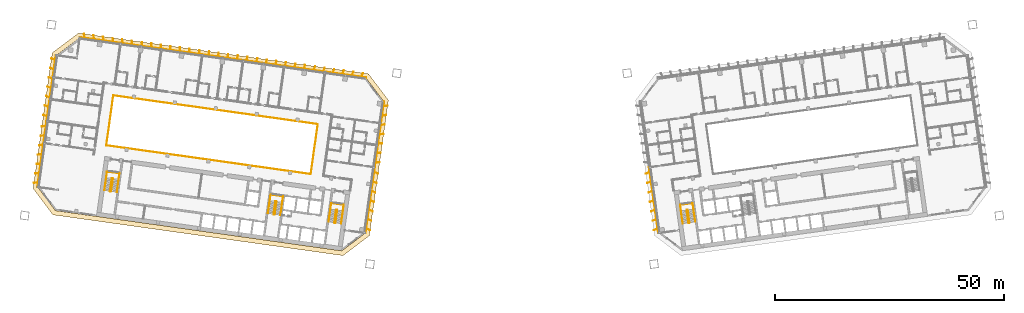
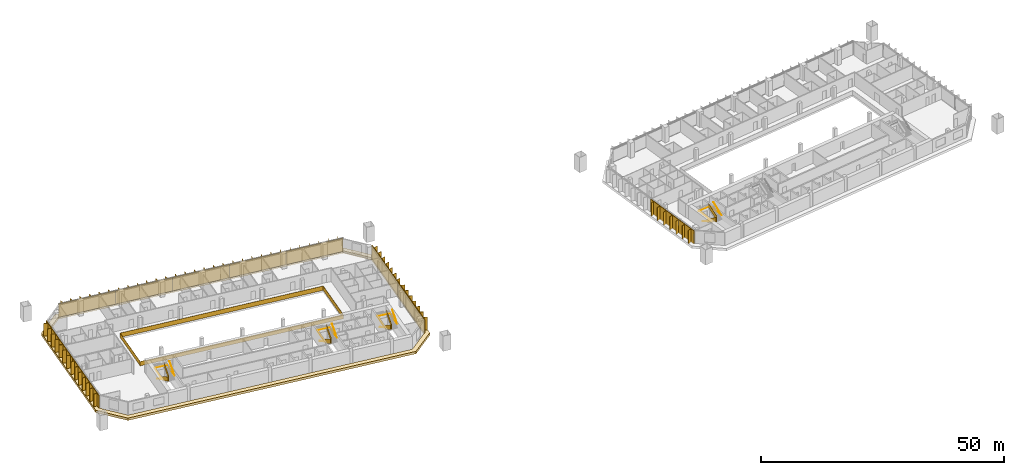
# One storey, part 23 of 24: 10 shading devices, 9 railings, 1 covering.
"""IFC4 building model written with IfcOpenShell, lengths in metres."""

from ifc_helpers import new_model, si_unit, direction, frame, origin, origin_2d, place, context, subcontext, project, spatial, polyline, rectangle, outline, extrude, material, layer, layer_set, type_object, element, save


model = new_model("IFC4")

# Units and contexts
model_context = context("Model", 3, precision=1e-05, world=origin(), true_north=direction((0.0, 1.0)))
body_context = subcontext(model_context, "Body", "Model", "MODEL_VIEW")
ifc_project = project(units=[si_unit("LENGTHUNIT", "METRE"), si_unit("AREAUNIT", "SQUARE_METRE"), si_unit("VOLUMEUNIT", "CUBIC_METRE"), si_unit("PLANEANGLEUNIT", "RADIAN"), si_unit("MASSUNIT", "GRAM", prefix="KILO")], contexts=[model_context])

# Site, building, storey
site_placement = place(None, origin())
site = spatial("IfcSite", under=ifc_project, at=site_placement, CompositionType="ELEMENT")
building_placement = place(site_placement, origin())
building = spatial("IfcBuilding", under=site, at=building_placement, Name="Mirante Cascada Hotel Towers", CompositionType="ELEMENT")
storey_placement = place(building_placement, frame((0.0, 0.0, 50.9)))
storey = spatial("IfcBuildingStorey", under=building, at=storey_placement, Name="L09", CompositionType="ELEMENT", Elevation=50.9)

# Railing
ifc_material_1 = material(Name="Toughened glass with stainless steel handrail", Category="steel")
railing_type_1 = type_object("IfcRailingType", Name="Atrium guard 1100 glass balustrade", PredefinedType="GUARDRAIL", material=ifc_material_1)
railing_1_placement = place(storey_placement, frame((-43.8418, -3.4881, 0.0)))
element("IfcRailing", 1, at=railing_1_placement, inside=storey, type_object=railing_type_1, Name="GUARD 1-L09-1", PredefinedType="GUARDRAIL", context=body_context, shape_type="SweptSolid", body=[
    extrude(rectangle(XDim=0.048, YDim=0.048, at=origin_2d()), frame((0.0, 0.0, 1.076), z_axis=(-0.9902681, 0.1391732, 0.0), x_axis=(-0.1391732, -0.9902681, 0.0)), (0.0, 0.0, 1.0), 45.0),
    extrude(rectangle(XDim=0.02, YDim=1.052, at=origin_2d()), frame((0.0, 0.0, 0.526), z_axis=(-0.9902681, 0.1391732, 0.0), x_axis=(-0.1391732, -0.9902681, 0.0)), (0.0, 0.0, 1.0), 45.0),
    extrude(rectangle(XDim=0.048, YDim=0.048, at=origin_2d()), frame((-44.5621, 6.2628, 1.076), z_axis=(0.1391721, 0.9902682, 0.0), x_axis=(-0.9902682, 0.1391721, 0.0)), (0.0, 0.0, 1.0), 11.0001),
    extrude(rectangle(XDim=0.02, YDim=1.052, at=origin_2d()), frame((-44.5621, 6.2628, 0.526), z_axis=(0.1391721, 0.9902682, 0.0), x_axis=(-0.9902682, 0.1391721, 0.0)), (0.0, 0.0, 1.0), 11.0001),
    extrude(rectangle(XDim=0.048, YDim=0.048, at=origin_2d()), frame((-43.0312, 17.1558, 1.076), z_axis=(0.9902681, -0.1391732, 0.0), x_axis=(0.1391732, 0.9902681, 0.0)), (0.0, 0.0, 1.0), 45.0),
    extrude(rectangle(XDim=0.02, YDim=1.052, at=origin_2d()), frame((-43.0312, 17.1558, 0.526), z_axis=(0.9902681, -0.1391732, 0.0), x_axis=(0.1391732, 0.9902681, 0.0)), (0.0, 0.0, 1.0), 45.0),
    extrude(rectangle(XDim=0.048, YDim=0.048, at=origin_2d()), frame((1.5309, 10.893, 1.076), z_axis=(-0.1391721, -0.9902682, 0.0), x_axis=(0.9902682, -0.1391721, 0.0)), (0.0, 0.0, 1.0), 11.0001),
    extrude(rectangle(XDim=0.02, YDim=1.052, at=origin_2d()), frame((1.5309, 10.893, 0.526), z_axis=(-0.1391721, -0.9902682, 0.0), x_axis=(0.9902682, -0.1391721, 0.0)), (0.0, 0.0, 1.0), 11.0001),
])

# Covering
ifc_material_2 = material(Name="Precast concrete C40/50 white", Category="concrete")
ifc_layer = layer(ifc_material_2, 0.6)
ifc_layer_set = layer_set([ifc_layer], Name="Precast concrete SUNSHADE band 1000x600")
covering_type = type_object("IfcCoveringType", Name="Precast concrete SUNSHADE band 1000x600", PredefinedType="CLADDING", material=ifc_layer_set)
covering_placement = place(storey_placement, frame((0.0, 0.0, -0.45)))
element("IfcCovering", 2, at=covering_placement, inside=storey, type_object=covering_type, Name="Precast concrete SUNSHADE band T1 L09", PredefinedType="CLADDING", context=body_context, shape_type="SweptSolid", body=[
    extrude(outline(polyline([(-104.3652, -6.6094), (-100.2139, 22.9287), (-94.4698, 27.2572), (-31.2626, 18.374), (-26.9341, 12.6299), (-31.0854, -16.9082), (-36.8295, -21.2367), (-100.0367, -12.3535), (-104.3652, -6.6094)]), holes=[polyline([(-27.982, 12.3589), (-31.8119, 17.4414), (-94.1988, 26.2093), (-99.2813, 22.3794), (-103.3173, -6.3384), (-99.4874, -11.4209), (-37.1005, -20.1888), (-32.018, -16.3589), (-27.982, 12.3589)])]), origin(), (0.0, 0.0, 1.0), 0.6),
])

# Railings
ifc_material_3 = material(Name="Painted steel", Category="steel")
railing_type_2 = type_object("IfcRailingType", Name="Stair guard 1100 steel balustrade", PredefinedType="GUARDRAIL", material=ifc_material_3)
railing_2_placement = place(storey_placement, frame((-38.1178, -11.2603, 0.0)))
element("IfcRailing", 3, at=railing_2_placement, inside=storey, type_object=railing_type_2, Name="L09 ST1-A stair guard 1", PredefinedType="GUARDRAIL", context=body_context, shape_type="SweptSolid", body=[
    extrude(rectangle(XDim=0.048, YDim=0.048, at=origin_2d()), frame((0.0, 0.0, 1.076), z_axis=(-0.9903326, 0.1387133, 0.0), x_axis=(-0.1387133, -0.9903326, 0.0)), (0.0, 0.0, 1.0), 0.1499),
    extrude(rectangle(XDim=0.02, YDim=1.052, at=origin_2d()), frame((0.0, 0.0, 0.526), z_axis=(-0.9903326, 0.1387133, 0.0), x_axis=(-0.1387133, -0.9903326, 0.0)), (0.0, 0.0, 1.0), 0.1499),
    extrude(rectangle(XDim=0.048, YDim=0.048, at=origin_2d()), frame((-0.1485, 0.0208, 1.076), z_axis=(-0.7991505, -0.6011309, 0.0), x_axis=(0.6011309, -0.7991505, 0.0)), (0.0, 0.9254529, 0.3788627), 0.1866),
    extrude(rectangle(XDim=0.02, YDim=1.052, at=origin_2d()), frame((-0.1485, 0.0208, 0.526), z_axis=(-0.7991505, -0.6011309, 0.0), x_axis=(0.6011309, -0.7991505, 0.0)), (0.0, 0.9254529, 0.3788627), 0.1866),
    extrude(rectangle(XDim=0.048, YDim=0.048, at=origin_2d()), frame((-0.205, -0.0217, 1.2487), z_axis=(-0.139176, -0.9902677, 0.0), x_axis=(0.9902677, -0.139176, 0.0)), (0.0, 0.5250212, 0.8510891), 3.29),
    extrude(rectangle(XDim=0.02, YDim=1.052, at=origin_2d()), frame((-0.205, -0.0217, 0.6987), z_axis=(-0.139176, -0.9902677, 0.0), x_axis=(0.9902677, -0.139176, 0.0)), (0.0, 0.5250212, 0.8510891), 3.29),
    extrude(rectangle(XDim=0.048, YDim=0.048, at=origin_2d()), frame((-0.5947, -2.7945, 2.976), z_axis=(0.9270311, -0.3749843, 0.0), x_axis=(0.3749843, 0.9270311, 0.0)), (0.0, 0.0, 1.0), 0.2061),
    extrude(rectangle(XDim=0.02, YDim=1.052, at=origin_2d()), frame((-0.5947, -2.7945, 2.426), z_axis=(0.9270311, -0.3749843, 0.0), x_axis=(0.3749843, 0.9270311, 0.0)), (0.0, 0.0, 1.0), 0.2061),
    extrude(rectangle(XDim=0.048, YDim=0.048, at=origin_2d()), frame((-0.4036, -2.8718, 2.976), z_axis=(-0.9902408, 0.1393672, 0.0), x_axis=(-0.1393672, -0.9902408, 0.0)), (0.0, 0.0, 1.0), 0.15),
    extrude(rectangle(XDim=0.02, YDim=1.052, at=origin_2d()), frame((-0.4036, -2.8718, 2.426), z_axis=(-0.9902408, 0.1393672, 0.0), x_axis=(-0.1393672, -0.9902408, 0.0)), (0.0, 0.0, 1.0), 0.15),
    extrude(rectangle(XDim=0.048, YDim=0.048, at=origin_2d()), frame((-0.5521, -2.8509, 2.976), z_axis=(0.9944948, 0.1047858, 0.0), x_axis=(-0.1047858, 0.9944948, 0.0)), (0.0, 0.6422034, 0.7665343), 0.2689),
    extrude(rectangle(XDim=0.02, YDim=1.052, at=origin_2d()), frame((-0.5521, -2.8509, 2.426), z_axis=(0.9944948, 0.1047858, 0.0), x_axis=(-0.1047858, 0.9944948, 0.0)), (0.0, 0.6422034, 0.7665343), 0.2689),
    extrude(rectangle(XDim=0.048, YDim=0.048, at=origin_2d()), frame((-0.3471, -2.8293, 3.1487), z_axis=(0.139176, 0.9902677, 0.0), x_axis=(-0.9902677, 0.139176, 0.0)), (0.0, 0.5250212, 0.8510891), 3.29),
    extrude(rectangle(XDim=0.02, YDim=1.052, at=origin_2d()), frame((-0.3471, -2.8293, 2.5987), z_axis=(0.139176, 0.9902677, 0.0), x_axis=(-0.9902677, 0.139176, 0.0)), (0.0, 0.5250212, 0.8510891), 3.29),
])
railing_3_placement = place(storey_placement, frame((-51.3379, -9.4024, 0.0)))
element("IfcRailing", 4, at=railing_3_placement, inside=storey, type_object=railing_type_2, Name="L09 ST1-B stair guard 1", PredefinedType="GUARDRAIL", context=body_context, shape_type="SweptSolid", body=[
    extrude(rectangle(XDim=0.048, YDim=0.048, at=origin_2d()), frame((0.0, 0.0, 1.076), z_axis=(-0.9902408, 0.1393672, 0.0), x_axis=(-0.1393672, -0.9902408, 0.0)), (0.0, 0.0, 1.0), 0.15),
    extrude(rectangle(XDim=0.02, YDim=1.052, at=origin_2d()), frame((0.0, 0.0, 0.526), z_axis=(-0.9902408, 0.1393672, 0.0), x_axis=(-0.1393672, -0.9902408, 0.0)), (0.0, 0.0, 1.0), 0.15),
    extrude(rectangle(XDim=0.048, YDim=0.048, at=origin_2d()), frame((-0.1485, 0.0209, 1.076), z_axis=(-0.7984711, -0.6020331, 0.0), x_axis=(0.6020331, -0.7984711, 0.0)), (0.0, 0.9253398, 0.3791387), 0.1866),
    extrude(rectangle(XDim=0.02, YDim=1.052, at=origin_2d()), frame((-0.1485, 0.0209, 0.526), z_axis=(-0.7984711, -0.6020331, 0.0), x_axis=(0.6020331, -0.7984711, 0.0)), (0.0, 0.9253398, 0.3791387), 0.1866),
    extrude(rectangle(XDim=0.048, YDim=0.048, at=origin_2d()), frame((-0.205, -0.0217, 1.2487), z_axis=(-0.139181, -0.990267, 0.0), x_axis=(0.990267, -0.139181, 0.0)), (0.0, 0.5250347, 0.8510808), 3.2899),
    extrude(rectangle(XDim=0.02, YDim=1.052, at=origin_2d()), frame((-0.205, -0.0217, 0.6987), z_axis=(-0.139181, -0.990267, 0.0), x_axis=(0.990267, -0.139181, 0.0)), (0.0, 0.5250347, 0.8510808), 3.2899),
    extrude(rectangle(XDim=0.048, YDim=0.048, at=origin_2d()), frame((-0.5947, -2.7944, 2.976), z_axis=(0.9268624, -0.3754011, 0.0), x_axis=(0.3754011, 0.9268624, 0.0)), (0.0, 0.0, 1.0), 0.2062),
    extrude(rectangle(XDim=0.02, YDim=1.052, at=origin_2d()), frame((-0.5947, -2.7944, 2.426), z_axis=(0.9268624, -0.3754011, 0.0), x_axis=(0.3754011, 0.9268624, 0.0)), (0.0, 0.0, 1.0), 0.2062),
    extrude(rectangle(XDim=0.048, YDim=0.048, at=origin_2d()), frame((-0.4036, -2.8718, 2.976), z_axis=(-0.9902408, 0.1393672, 0.0), x_axis=(-0.1393672, -0.9902408, 0.0)), (0.0, 0.0, 1.0), 0.15),
    extrude(rectangle(XDim=0.02, YDim=1.052, at=origin_2d()), frame((-0.4036, -2.8718, 2.426), z_axis=(-0.9902408, 0.1393672, 0.0), x_axis=(-0.1393672, -0.9902408, 0.0)), (0.0, 0.0, 1.0), 0.15),
    extrude(rectangle(XDim=0.048, YDim=0.048, at=origin_2d()), frame((-0.5521, -2.8509, 2.976), z_axis=(0.9944441, 0.1052656, 0.0), x_axis=(-0.1052656, 0.9944441, 0.0)), (0.0, 0.6421842, 0.7665504), 0.2689),
    extrude(rectangle(XDim=0.02, YDim=1.052, at=origin_2d()), frame((-0.5521, -2.8509, 2.426), z_axis=(0.9944441, 0.1052656, 0.0), x_axis=(-0.1052656, 0.9944441, 0.0)), (0.0, 0.6421842, 0.7665504), 0.2689),
    extrude(rectangle(XDim=0.048, YDim=0.048, at=origin_2d()), frame((-0.3471, -2.8292, 3.1487), z_axis=(0.139181, 0.990267, 0.0), x_axis=(-0.990267, 0.139181, 0.0)), (0.0, 0.5250347, 0.8510808), 3.2899),
    extrude(rectangle(XDim=0.02, YDim=1.052, at=origin_2d()), frame((-0.3471, -2.8292, 2.5987), z_axis=(0.139181, 0.990267, 0.0), x_axis=(-0.990267, 0.139181, 0.0)), (0.0, 0.5250347, 0.8510808), 3.2899),
])
railing_4_placement = place(storey_placement, frame((-86.9875, -4.3922, 0.0)))
element("IfcRailing", 5, at=railing_4_placement, inside=storey, type_object=railing_type_2, Name="L09 ST1-C stair guard 1", PredefinedType="GUARDRAIL", context=body_context, shape_type="SweptSolid", body=[
    extrude(rectangle(XDim=0.048, YDim=0.048, at=origin_2d()), frame((0.0, 0.0, 1.076), z_axis=(-0.9902537, 0.1392753, 0.0), x_axis=(-0.1392753, -0.9902537, 0.0)), (0.0, 0.0, 1.0), 0.1501),
    extrude(rectangle(XDim=0.02, YDim=1.052, at=origin_2d()), frame((0.0, 0.0, 0.526), z_axis=(-0.9902537, 0.1392753, 0.0), x_axis=(-0.1392753, -0.9902537, 0.0)), (0.0, 0.0, 1.0), 0.1501),
    extrude(rectangle(XDim=0.048, YDim=0.048, at=origin_2d()), frame((-0.1486, 0.0209, 1.076), z_axis=(-0.7986386, -0.601811, 0.0), x_axis=(0.601811, -0.7986386, 0.0)), (0.0, 0.925603, 0.3784959), 0.1866),
    extrude(rectangle(XDim=0.02, YDim=1.052, at=origin_2d()), frame((-0.1486, 0.0209, 0.526), z_axis=(-0.7986386, -0.601811, 0.0), x_axis=(0.601811, -0.7986386, 0.0)), (0.0, 0.925603, 0.3784959), 0.1866),
    extrude(rectangle(XDim=0.048, YDim=0.048, at=origin_2d()), frame((-0.205, -0.0216, 1.2487), z_axis=(-0.139176, -0.9902677, 0.0), x_axis=(0.9902677, -0.139176, 0.0)), (0.0, 0.5250212, 0.8510891), 3.29),
    extrude(rectangle(XDim=0.02, YDim=1.052, at=origin_2d()), frame((-0.205, -0.0216, 0.6987), z_axis=(-0.139176, -0.9902677, 0.0), x_axis=(0.9902677, -0.139176, 0.0)), (0.0, 0.5250212, 0.8510891), 3.29),
    extrude(rectangle(XDim=0.048, YDim=0.048, at=origin_2d()), frame((-0.5947, -2.7944, 2.976), z_axis=(0.9270311, -0.3749843, 0.0), x_axis=(0.3749843, 0.9270311, 0.0)), (0.0, 0.0, 1.0), 0.2061),
    extrude(rectangle(XDim=0.02, YDim=1.052, at=origin_2d()), frame((-0.5947, -2.7944, 2.426), z_axis=(0.9270311, -0.3749843, 0.0), x_axis=(0.3749843, 0.9270311, 0.0)), (0.0, 0.0, 1.0), 0.2061),
    extrude(rectangle(XDim=0.048, YDim=0.048, at=origin_2d()), frame((-0.4036, -2.8717, 2.976), z_axis=(-0.9903454, 0.1386217, 0.0), x_axis=(-0.1386217, -0.9903454, 0.0)), (0.0, 0.0, 1.0), 0.15),
    extrude(rectangle(XDim=0.02, YDim=1.052, at=origin_2d()), frame((-0.4036, -2.8717, 2.426), z_axis=(-0.9903454, 0.1386217, 0.0), x_axis=(-0.1386217, -0.9903454, 0.0)), (0.0, 0.0, 1.0), 0.15),
    extrude(rectangle(XDim=0.048, YDim=0.048, at=origin_2d()), frame((-0.5522, -2.8509, 2.976), z_axis=(0.9944441, 0.1052656, 0.0), x_axis=(-0.1052656, 0.9944441, 0.0)), (0.0, 0.6421842, 0.7665504), 0.2689),
    extrude(rectangle(XDim=0.02, YDim=1.052, at=origin_2d()), frame((-0.5522, -2.8509, 2.426), z_axis=(0.9944441, 0.1052656, 0.0), x_axis=(-0.1052656, 0.9944441, 0.0)), (0.0, 0.6421842, 0.7665504), 0.2689),
    extrude(rectangle(XDim=0.048, YDim=0.048, at=origin_2d()), frame((-0.3472, -2.8292, 3.1487), z_axis=(0.139176, 0.9902677, 0.0), x_axis=(-0.9902677, 0.139176, 0.0)), (0.0, 0.5250212, 0.8510891), 3.29),
    extrude(rectangle(XDim=0.02, YDim=1.052, at=origin_2d()), frame((-0.3472, -2.8292, 2.5987), z_axis=(0.139176, 0.9902677, 0.0), x_axis=(-0.9902677, 0.139176, 0.0)), (0.0, 0.5250212, 0.8510891), 3.29),
])
railing_5_placement = place(storey_placement, frame((38.2663, -11.2395, 0.0)))
element("IfcRailing", 6, at=railing_5_placement, inside=storey, type_object=railing_type_2, Name="L09 ST2-A stair guard 1", PredefinedType="GUARDRAIL", context=body_context, shape_type="SweptSolid", body=[
    extrude(rectangle(XDim=0.048, YDim=0.048, at=origin_2d()), frame((0.0, 0.0, 1.076), z_axis=(-0.9903326, -0.1387133, 0.0), x_axis=(0.1387133, -0.9903326, 0.0)), (0.0, 0.0, 1.0), 0.1499),
    extrude(rectangle(XDim=0.02, YDim=1.052, at=origin_2d()), frame((0.0, 0.0, 0.526), z_axis=(-0.9903326, -0.1387133, 0.0), x_axis=(0.1387133, -0.9903326, 0.0)), (0.0, 0.0, 1.0), 0.1499),
    extrude(rectangle(XDim=0.048, YDim=0.048, at=origin_2d()), frame((-0.1485, -0.0208, 1.076), z_axis=(-0.6020331, -0.7984711, 0.0), x_axis=(0.7984711, -0.6020331, 0.0)), (0.0, 0.9253398, 0.3791387), 0.1866),
    extrude(rectangle(XDim=0.02, YDim=1.052, at=origin_2d()), frame((-0.1485, -0.0208, 0.526), z_axis=(-0.6020331, -0.7984711, 0.0), x_axis=(0.7984711, -0.6020331, 0.0)), (0.0, 0.9253398, 0.3791387), 0.1866),
    extrude(rectangle(XDim=0.048, YDim=0.048, at=origin_2d()), frame((-0.1911, -0.0773, 1.2487), z_axis=(0.139176, -0.9902677, 0.0), x_axis=(0.9902677, 0.139176, 0.0)), (0.0, 0.5250212, 0.8510891), 3.29),
    extrude(rectangle(XDim=0.02, YDim=1.052, at=origin_2d()), frame((-0.1911, -0.0773, 0.6987), z_axis=(0.139176, -0.9902677, 0.0), x_axis=(0.9902677, 0.139176, 0.0)), (0.0, 0.5250212, 0.8510891), 3.29),
    extrude(rectangle(XDim=0.048, YDim=0.048, at=origin_2d()), frame((0.1986, -2.8501, 2.976), z_axis=(0.9944948, -0.1047858, 0.0), x_axis=(0.1047858, 0.9944948, 0.0)), (0.0, 0.0, 1.0), 0.2061),
    extrude(rectangle(XDim=0.02, YDim=1.052, at=origin_2d()), frame((0.1986, -2.8501, 2.426), z_axis=(0.9944948, -0.1047858, 0.0), x_axis=(0.1047858, 0.9944948, 0.0)), (0.0, 0.0, 1.0), 0.2061),
    extrude(rectangle(XDim=0.048, YDim=0.048, at=origin_2d()), frame((0.4036, -2.8717, 2.976), z_axis=(-0.9902408, -0.1393672, 0.0), x_axis=(0.1393672, -0.9902408, 0.0)), (0.0, 0.0, 1.0), 0.15),
    extrude(rectangle(XDim=0.02, YDim=1.052, at=origin_2d()), frame((0.4036, -2.8717, 2.426), z_axis=(-0.9902408, -0.1393672, 0.0), x_axis=(0.1393672, -0.9902408, 0.0)), (0.0, 0.0, 1.0), 0.15),
    extrude(rectangle(XDim=0.048, YDim=0.048, at=origin_2d()), frame((0.2551, -2.8926, 2.976), z_axis=(0.9270311, 0.3749843, 0.0), x_axis=(-0.3749843, 0.9270311, 0.0)), (0.0, 0.6421903, 0.7665452), 0.2689),
    extrude(rectangle(XDim=0.02, YDim=1.052, at=origin_2d()), frame((0.2551, -2.8926, 2.426), z_axis=(0.9270311, 0.3749843, 0.0), x_axis=(-0.3749843, 0.9270311, 0.0)), (0.0, 0.6421903, 0.7665452), 0.2689),
    extrude(rectangle(XDim=0.048, YDim=0.048, at=origin_2d()), frame((0.4462, -2.8153, 3.1487), z_axis=(-0.139176, 0.9902677, 0.0), x_axis=(-0.9902677, -0.139176, 0.0)), (0.0, 0.5250212, 0.8510891), 3.29),
    extrude(rectangle(XDim=0.02, YDim=1.052, at=origin_2d()), frame((0.4462, -2.8153, 2.5987), z_axis=(-0.139176, 0.9902677, 0.0), x_axis=(-0.9902677, -0.139176, 0.0)), (0.0, 0.5250212, 0.8510891), 3.29),
])
ifc_material_4 = material(Name="Painted steel", Category="steel")
railing_type_3 = type_object("IfcRailingType", Name="Stair handrail 900 steel tube", PredefinedType="HANDRAIL", material=ifc_material_4)
railing_6_placement = place(storey_placement, frame((-39.5606, -11.1081, 0.1727)))
element("IfcRailing", 7, at=railing_6_placement, inside=storey, type_object=railing_type_3, Name="L09 ST1-A stair handrail 1", PredefinedType="HANDRAIL", context=body_context, shape_type="SweptSolid", body=[
    extrude(rectangle(XDim=0.048, YDim=0.048, at=origin_2d()), frame((0.0, 0.0, 0.876), z_axis=(-0.139181, -0.990267, 0.0), x_axis=(0.990267, -0.139181, 0.0)), (0.0, 0.5250347, 0.8510808), 3.2899),
    extrude(rectangle(XDim=0.048, YDim=0.048, at=origin_2d()), frame((-0.3897, -2.7727, 2.6033), z_axis=(0.1391707, 0.9902684, 0.0), x_axis=(-0.9902684, 0.1391707, 0.0)), (0.0, 0.0420846, 0.999114), 4.1036),
    extrude(rectangle(XDim=0.048, YDim=0.048, at=origin_2d()), frame((0.1809, 1.2874, 2.776), z_axis=(0.9902691, -0.1391657, 0.0), x_axis=(0.1391657, 0.9902691, 0.0)), (0.0, 0.0, 1.0), 2.75),
    extrude(rectangle(XDim=0.048, YDim=0.048, at=origin_2d()), frame((2.9041, 0.9047, 2.776), z_axis=(-0.1391707, -0.9902684, 0.0), x_axis=(0.9902684, -0.1391707, 0.0)), (0.0, 0.0, 1.0), 4.1),
    extrude(rectangle(XDim=0.048, YDim=0.048, at=origin_2d()), frame((2.3335, -3.1554, 2.776), z_axis=(0.139181, 0.990267, 0.0), x_axis=(-0.990267, 0.139181, 0.0)), (0.0, 0.5250347, 0.8510808), 3.2899),
])
railing_7_placement = place(storey_placement, frame((-52.7807, -9.2501, 0.1727)))
element("IfcRailing", 8, at=railing_7_placement, inside=storey, type_object=railing_type_3, Name="L09 ST1-B stair handrail 1", PredefinedType="HANDRAIL", context=body_context, shape_type="SweptSolid", body=[
    extrude(rectangle(XDim=0.048, YDim=0.048, at=origin_2d()), frame((0.0, 0.0, 0.876), z_axis=(-0.139181, -0.990267, 0.0), x_axis=(0.990267, -0.139181, 0.0)), (0.0, 0.5250347, 0.8510808), 3.2899),
    extrude(rectangle(XDim=0.048, YDim=0.048, at=origin_2d()), frame((-0.3897, -2.7727, 2.6033), z_axis=(0.1391707, 0.9902684, 0.0), x_axis=(-0.9902684, 0.1391707, 0.0)), (0.0, 0.0420846, 0.999114), 4.1036),
    extrude(rectangle(XDim=0.048, YDim=0.048, at=origin_2d()), frame((0.1809, 1.2874, 2.776), z_axis=(0.9902641, -0.1392013, 0.0), x_axis=(0.1392013, 0.9902641, 0.0)), (0.0, 0.0, 1.0), 2.75),
    extrude(rectangle(XDim=0.048, YDim=0.048, at=origin_2d()), frame((2.9041, 0.9046, 2.776), z_axis=(-0.1391707, -0.9902684, 0.0), x_axis=(0.9902684, -0.1391707, 0.0)), (0.0, 0.0, 1.0), 4.1),
    extrude(rectangle(XDim=0.048, YDim=0.048, at=origin_2d()), frame((2.3335, -3.1555, 2.776), z_axis=(0.139176, 0.9902677, 0.0), x_axis=(-0.9902677, 0.139176, 0.0)), (0.0, 0.5250212, 0.8510891), 3.29),
])
railing_8_placement = place(storey_placement, frame((-88.4304, -4.2399, 0.1727)))
element("IfcRailing", 9, at=railing_8_placement, inside=storey, type_object=railing_type_3, Name="L09 ST1-C stair handrail 1", PredefinedType="HANDRAIL", context=body_context, shape_type="SweptSolid", body=[
    extrude(rectangle(XDim=0.048, YDim=0.048, at=origin_2d()), frame((0.0, 0.0, 0.876), z_axis=(-0.139181, -0.990267, 0.0), x_axis=(0.990267, -0.139181, 0.0)), (0.0, 0.5250347, 0.8510808), 3.2899),
    extrude(rectangle(XDim=0.048, YDim=0.048, at=origin_2d()), frame((-0.3897, -2.7727, 2.6033), z_axis=(0.1391947, 0.990265, 0.0), x_axis=(-0.990265, 0.1391947, 0.0)), (0.0, 0.0420845, 0.9991141), 4.1036),
    extrude(rectangle(XDim=0.048, YDim=0.048, at=origin_2d()), frame((0.181, 1.2874, 2.776), z_axis=(0.9902691, -0.1391657, 0.0), x_axis=(0.1391657, 0.9902691, 0.0)), (0.0, 0.0, 1.0), 2.75),
    extrude(rectangle(XDim=0.048, YDim=0.048, at=origin_2d()), frame((2.9042, 0.9047, 2.776), z_axis=(-0.1391707, -0.9902684, 0.0), x_axis=(0.9902684, -0.1391707, 0.0)), (0.0, 0.0, 1.0), 4.1),
    extrude(rectangle(XDim=0.048, YDim=0.048, at=origin_2d()), frame((2.3336, -3.1554, 2.776), z_axis=(0.139181, 0.990267, 0.0), x_axis=(-0.990267, 0.139181, 0.0)), (0.0, 0.5250347, 0.8510808), 3.2899),
])
railing_9_placement = place(storey_placement, frame((36.8374, -11.4908, 0.1727)))
element("IfcRailing", 10, at=railing_9_placement, inside=storey, type_object=railing_type_3, Name="L09 ST2-A stair handrail 1", PredefinedType="HANDRAIL", context=body_context, shape_type="SweptSolid", body=[
    extrude(rectangle(XDim=0.048, YDim=0.048, at=origin_2d()), frame((0.0, 0.0, 0.876), z_axis=(0.139181, -0.990267, 0.0), x_axis=(0.990267, 0.139181, 0.0)), (0.0, 0.5250347, 0.8510808), 3.2899),
    extrude(rectangle(XDim=0.048, YDim=0.048, at=origin_2d()), frame((0.3897, -2.7727, 2.6033), z_axis=(-0.1391707, 0.9902684, 0.0), x_axis=(-0.9902684, -0.1391707, 0.0)), (0.0, 0.0420846, 0.999114), 4.1036),
    extrude(rectangle(XDim=0.048, YDim=0.048, at=origin_2d()), frame((-0.1809, 1.2874, 2.776), z_axis=(0.9902691, 0.1391657, 0.0), x_axis=(-0.1391657, 0.9902691, 0.0)), (0.0, 0.0, 1.0), 2.75),
    extrude(rectangle(XDim=0.048, YDim=0.048, at=origin_2d()), frame((2.5423, 1.6701, 2.776), z_axis=(0.1391707, -0.9902684, 0.0), x_axis=(0.9902684, 0.1391707, 0.0)), (0.0, 0.0, 1.0), 4.1),
    extrude(rectangle(XDim=0.048, YDim=0.048, at=origin_2d()), frame((3.1129, -2.39, 2.776), z_axis=(-0.139181, 0.990267, 0.0), x_axis=(-0.990267, -0.139181, 0.0)), (0.0, 0.5250347, 0.8510808), 3.2899),
])

# Shading devices
ifc_material_5 = material(Name="White precast concrete C50/60 fin", Category="concrete")
shading_device_type = type_object("IfcShadingDeviceType", Name="Vertical fin set 4500x900", PredefinedType="USERDEFINED", material=ifc_material_5)
shading_device_1_placement = place(storey_placement, origin())
element("IfcShadingDevice", 11, at=shading_device_1_placement, inside=storey, type_object=shading_device_type, Name="FIN T1 L09 front 1", ObjectType="FIN", PredefinedType="USERDEFINED", context=body_context, shape_type="SweptSolid", body=[
    extrude(outline(polyline([(-82.8173, 25.599), (-82.7126, 24.7465), (-81.7006, 24.6042), (-81.7214, 24.4557), (-94.1988, 26.2093), (-94.1779, 26.3578), (-93.1924, 26.2193), (-93.2945, 27.0506), (-93.2151, 27.0603), (-93.1104, 26.2078), (-91.1129, 25.9271), (-91.2149, 26.7583), (-91.1355, 26.7681), (-91.0308, 25.9155), (-89.0333, 25.6348), (-89.1354, 26.4661), (-89.056, 26.4758), (-88.9513, 25.6233), (-86.9537, 25.3425), (-87.0558, 26.1738), (-86.9764, 26.1835), (-86.8717, 25.331), (-84.8742, 25.0503), (-84.9762, 25.8815), (-84.8968, 25.8913), (-84.7922, 25.0387), (-82.7946, 24.758), (-82.8967, 25.5893), (-82.8173, 25.599)])), origin(), (0.0, 0.0, 1.0), 3.35),
])
shading_device_2_placement = place(storey_placement, origin())
element("IfcShadingDevice", 12, at=shading_device_2_placement, inside=storey, type_object=shading_device_type, Name="FIN T1 L09 front 2", ObjectType="FIN", PredefinedType="USERDEFINED", context=body_context, shape_type="SweptSolid", body=[
    extrude(outline(polyline([(-70.2221, 23.8469), (-70.2295, 22.9921), (-69.2232, 22.8507), (-69.2441, 22.7021), (-81.7214, 24.4557), (-81.7006, 24.6042), (-80.7072, 24.4646), (-80.6999, 25.3089), (-80.6199, 25.3082), (-80.6273, 24.4534), (-78.6277, 24.1724), (-78.6203, 25.0166), (-78.5403, 25.0159), (-78.5478, 24.1611), (-76.5481, 23.8801), (-76.5407, 24.7244), (-76.4608, 24.7237), (-76.4682, 23.8689), (-74.4686, 23.5878), (-74.4612, 24.4321), (-74.3812, 24.4314), (-74.3886, 23.5766), (-72.389, 23.2956), (-72.3816, 24.1399), (-72.3016, 24.1392), (-72.3091, 23.2844), (-70.3094, 23.0033), (-70.3021, 23.8476), (-70.2221, 23.8469)])), origin(), (0.0, 0.0, 1.0), 3.35),
])
shading_device_3_placement = place(storey_placement, origin())
element("IfcShadingDevice", 13, at=shading_device_3_placement, inside=storey, type_object=shading_device_type, Name="FIN T1 L09 front 3", ObjectType="FIN", PredefinedType="USERDEFINED", context=body_context, shape_type="SweptSolid", body=[
    extrude(outline(polyline([(-57.6277, 22.0794), (-57.746, 21.2376), (-56.7458, 21.0971), (-56.7667, 20.9485), (-69.2441, 22.7021), (-69.2232, 22.8507), (-68.223, 22.7101), (-68.1047, 23.5518), (-68.0255, 23.5407), (-68.1438, 22.699), (-66.1434, 22.4178), (-66.0251, 23.2596), (-65.9459, 23.2484), (-66.0642, 22.4067), (-64.0639, 22.1256), (-63.9456, 22.9673), (-63.8664, 22.9562), (-63.9847, 22.1144), (-61.9843, 21.8333), (-61.866, 22.675), (-61.7868, 22.6639), (-61.9051, 21.8222), (-59.9048, 21.541), (-59.7865, 22.3828), (-59.7072, 22.3716), (-59.8255, 21.5299), (-57.8252, 21.2488), (-57.7069, 22.0905), (-57.6277, 22.0794)])), origin(), (0.0, 0.0, 1.0), 3.35),
])
shading_device_4_placement = place(storey_placement, origin())
element("IfcShadingDevice", 14, at=shading_device_4_placement, inside=storey, type_object=shading_device_type, Name="FIN T1 L09 front 4", ObjectType="FIN", PredefinedType="USERDEFINED", context=body_context, shape_type="SweptSolid", body=[
    extrude(outline(polyline([(-45.0361, 20.2967), (-45.2617, 19.4831), (-44.2684, 19.3435), (-44.2893, 19.195), (-56.7667, 20.9485), (-56.7458, 21.0971), (-55.7394, 20.9556), (-55.511, 21.7794), (-55.4339, 21.758), (-55.6595, 20.9444), (-53.6599, 20.6634), (-53.4314, 21.4871), (-53.3544, 21.4657), (-53.58, 20.6521), (-51.5803, 20.3711), (-51.3519, 21.1949), (-51.2748, 21.1735), (-51.5004, 20.3599), (-49.5008, 20.0789), (-49.2723, 20.9026), (-49.1952, 20.8812), (-49.4209, 20.0676), (-47.4212, 19.7866), (-47.1928, 20.6103), (-47.1157, 20.589), (-47.3413, 19.7754), (-45.3416, 19.4943), (-45.1132, 20.3181), (-45.0361, 20.2967)])), origin(), (0.0, 0.0, 1.0), 3.35),
])
shading_device_5_placement = place(storey_placement, origin())
element("IfcShadingDevice", 15, at=shading_device_5_placement, inside=storey, type_object=shading_device_type, Name="FIN T1 L09 front 5", ObjectType="FIN", PredefinedType="USERDEFINED", context=body_context, shape_type="SweptSolid", body=[
    extrude(outline(polyline([(-32.4493, 18.4994), (-32.7765, 17.7284), (-31.791, 17.5899), (-31.8119, 17.4414), (-44.2893, 19.195), (-44.2684, 19.3435), (-43.2564, 19.2013), (-42.9208, 19.9919), (-42.8471, 19.9607), (-43.1744, 19.1897), (-41.1768, 18.909), (-40.8412, 19.6997), (-40.7676, 19.6684), (-41.0948, 18.8975), (-39.0973, 18.6167), (-38.7616, 19.4074), (-38.688, 19.3761), (-39.0152, 18.6052), (-37.0177, 18.3245), (-36.6821, 19.1151), (-36.6084, 19.0839), (-36.9357, 18.3129), (-34.9381, 18.0322), (-34.6025, 18.8229), (-34.5289, 18.7916), (-34.8561, 18.0207), (-32.8586, 17.7399), (-32.5229, 18.5306), (-32.4493, 18.4994)])), origin(), (0.0, 0.0, 1.0), 3.35),
])
shading_device_6_placement = place(storey_placement, origin())
element("IfcShadingDevice", 16, at=shading_device_6_placement, inside=storey, type_object=shading_device_type, Name="FIN T1 L09 inner 1", ObjectType="FIN", PredefinedType="USERDEFINED", context=body_context, shape_type="SweptSolid", body=[
    extrude(outline(polyline([(-29.7112, -1.023), (-29.8515, -2.0209), (-30.0, -2.0), (-27.982, 12.3589), (-27.8334, 12.338), (-27.97, 11.3667), (-27.1387, 11.4687), (-27.1289, 11.3893), (-27.9815, 11.2846), (-28.2583, 9.3154), (-27.427, 9.4174), (-27.4172, 9.338), (-28.2698, 9.2334), (-28.5465, 7.2641), (-27.7153, 7.3662), (-27.7055, 7.2868), (-28.5581, 7.1821), (-28.8348, 5.2128), (-28.0036, 5.3149), (-27.9938, 5.2355), (-28.8464, 5.1308), (-29.1231, 3.1616), (-28.2918, 3.2636), (-28.2821, 3.1842), (-29.1346, 3.0796), (-29.4114, 1.1103), (-28.5801, 1.2124), (-28.5704, 1.133), (-29.4229, 1.0283), (-29.6997, -0.941), (-28.8684, -0.8389), (-28.8587, -0.9183), (-29.7112, -1.023)])), origin(), (0.0, 0.0, 1.0), 3.35),
])
shading_device_7_placement = place(storey_placement, origin())
element("IfcShadingDevice", 17, at=shading_device_7_placement, inside=storey, type_object=shading_device_type, Name="FIN T1 L09 inner 2", ObjectType="FIN", PredefinedType="USERDEFINED", context=body_context, shape_type="SweptSolid", body=[
    extrude(outline(polyline([(-31.733, -15.4084), (-31.8695, -16.3798), (-32.018, -16.3589), (-30.0, -2.0), (-29.8515, -2.0209), (-29.9917, -3.0188), (-29.201, -3.3544), (-29.2323, -3.428), (-30.0032, -3.1008), (-30.28, -5.07), (-29.4893, -5.4057), (-29.5206, -5.4793), (-30.2915, -5.1521), (-30.5683, -7.1213), (-29.7776, -7.4569), (-29.8089, -7.5306), (-30.5798, -7.2033), (-30.8566, -9.1726), (-30.0659, -9.5082), (-30.0972, -9.5818), (-30.8681, -9.2546), (-31.1449, -11.2238), (-30.3542, -11.5595), (-30.3854, -11.6331), (-31.1564, -11.3059), (-31.4331, -13.2751), (-30.6425, -13.6107), (-30.6737, -13.6844), (-31.4447, -13.3571), (-31.7214, -15.3264), (-30.9308, -15.662), (-30.962, -15.7356), (-31.733, -15.4084)])), origin(), (0.0, 0.0, 1.0), 3.35),
])
shading_device_8_placement = place(storey_placement, origin())
element("IfcShadingDevice", 18, at=shading_device_8_placement, inside=storey, type_object=shading_device_type, Name="FIN T1 L09 outer 1", ObjectType="FIN", PredefinedType="USERDEFINED", context=body_context, shape_type="SweptSolid", body=[
    extrude(outline(polyline([(-103.3178, -5.2642), (-103.041, -3.2949), (-103.8723, -3.397), (-103.8821, -3.3176), (-103.0295, -3.2129), (-102.7528, -1.2436), (-103.584, -1.3457), (-103.5938, -1.2663), (-102.7412, -1.1616), (-102.4645, 0.8076), (-103.2957, 0.7056), (-103.3055, 0.785), (-102.4529, 0.8896), (-102.1762, 2.8589), (-103.0075, 2.7568), (-103.0172, 2.8362), (-102.1647, 2.9409), (-101.8879, 4.9102), (-102.7192, 4.8081), (-102.7289, 4.8875), (-101.8764, 4.9922), (-101.5996, 6.9614), (-102.4309, 6.8594), (-102.4406, 6.9388), (-101.5881, 7.0434), (-101.4478, 8.0413), (-101.2993, 8.0205), (-103.3173, -6.3384), (-103.4659, -6.3175), (-103.3293, -5.3462), (-104.1606, -5.4483), (-104.1704, -5.3689), (-103.3178, -5.2642)])), origin(), (0.0, 0.0, 1.0), 3.35),
])
shading_device_9_placement = place(storey_placement, origin())
element("IfcShadingDevice", 19, at=shading_device_9_placement, inside=storey, type_object=shading_device_type, Name="FIN T1 L09 outer 2", ObjectType="FIN", PredefinedType="USERDEFINED", context=body_context, shape_type="SweptSolid", body=[
    extrude(outline(polyline([(-101.2961, 9.1212), (-101.0193, 11.0905), (-101.81, 11.4261), (-101.7787, 11.4998), (-101.0078, 11.1725), (-100.731, 13.1418), (-101.5217, 13.4774), (-101.4904, 13.551), (-100.7195, 13.2238), (-100.4427, 15.193), (-101.2334, 15.5287), (-101.2021, 15.6023), (-100.4312, 15.2751), (-100.1544, 17.2443), (-100.9451, 17.5799), (-100.9139, 17.6536), (-100.1429, 17.3263), (-99.8662, 19.2956), (-100.6568, 19.6312), (-100.6256, 19.7048), (-99.8546, 19.3776), (-99.5779, 21.3469), (-100.3685, 21.6825), (-100.3373, 21.7561), (-99.5663, 21.4289), (-99.4298, 22.4002), (-99.2813, 22.3794), (-101.2993, 8.0205), (-101.4478, 8.0413), (-101.3076, 9.0392), (-102.0983, 9.3749), (-102.067, 9.4485), (-101.2961, 9.1212)])), origin(), (0.0, 0.0, 1.0), 3.35),
])
shading_device_10_placement = place(storey_placement, origin())
element("IfcShadingDevice", 20, at=shading_device_10_placement, inside=storey, type_object=shading_device_type, Name="FIN T2 L09 inner 2", ObjectType="FIN", PredefinedType="USERDEFINED", context=body_context, shape_type="SweptSolid", body=[
    extrude(outline(polyline([(30.9308, -15.662), (31.7214, -15.3264), (31.4447, -13.3571), (30.6737, -13.6844), (30.6425, -13.6107), (31.4331, -13.2751), (31.1564, -11.3059), (30.3854, -11.6331), (30.3542, -11.5595), (31.1449, -11.2238), (30.8681, -9.2546), (30.0972, -9.5818), (30.0659, -9.5082), (30.8566, -9.1726), (30.5798, -7.2033), (29.8089, -7.5306), (29.7776, -7.4569), (30.5683, -7.1213), (30.2915, -5.1521), (29.5206, -5.4793), (29.4893, -5.4057), (30.28, -5.07), (30.0032, -3.1008), (29.2323, -3.428), (29.201, -3.3544), (29.9917, -3.0188), (29.8515, -2.0209), (30.0, -2.0), (32.018, -16.3589), (31.8695, -16.3798), (31.733, -15.4084), (30.962, -15.7356), (30.9308, -15.662)])), origin(), (0.0, 0.0, 1.0), 3.35),
])

save(model, "model.ifc")
